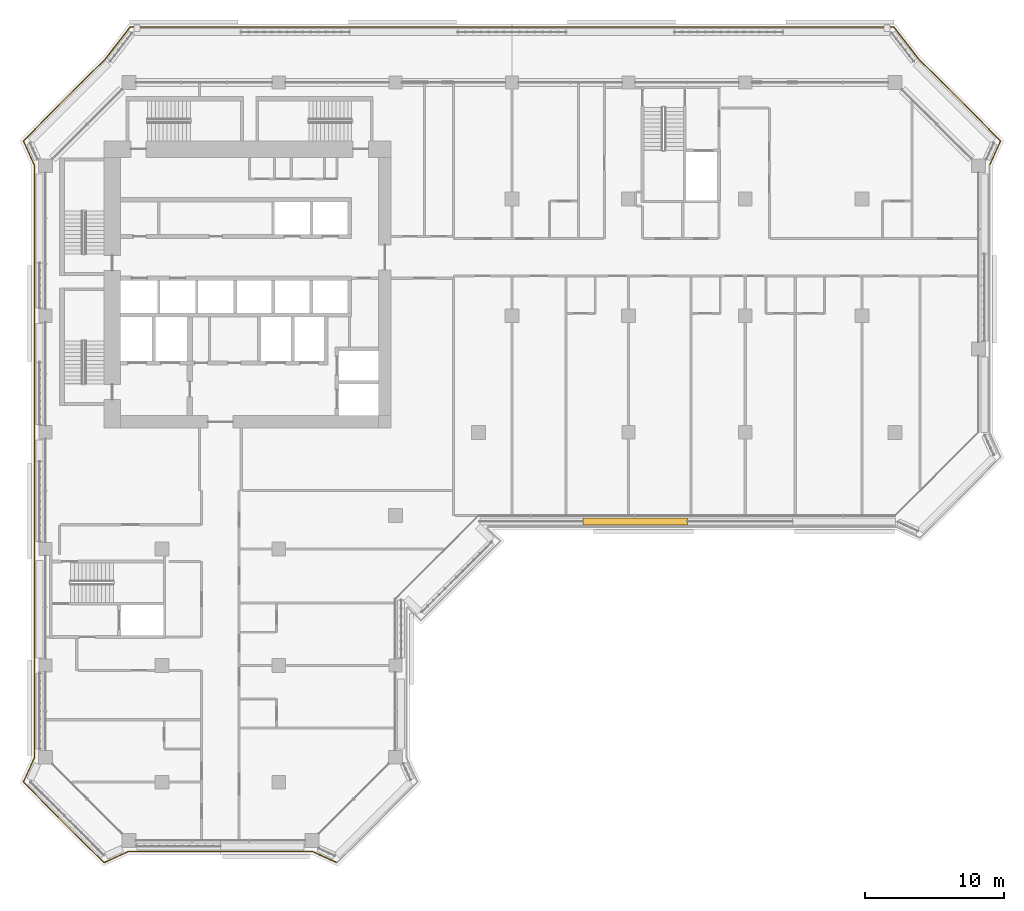
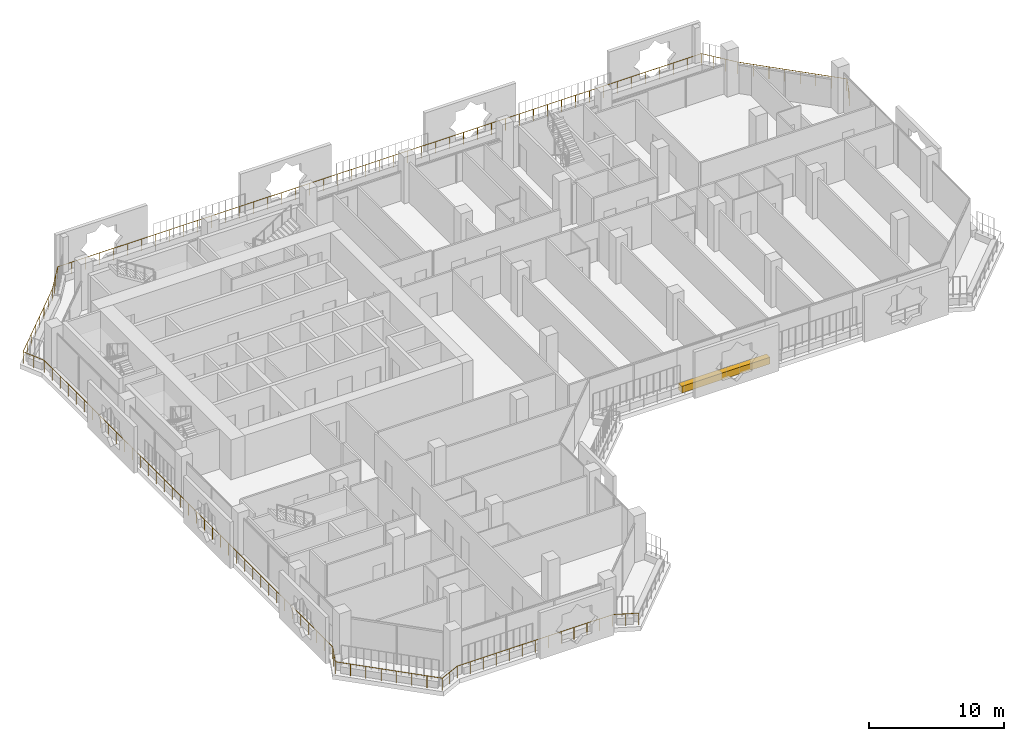
# One storey, part 17 of 21: 1 covering, 1 railing.
"""IFC4 building model written with IfcOpenShell, lengths in metres."""

from ifc_helpers import new_model, si_unit, direction, frame, origin, origin_2d, place, context, subcontext, project, spatial, rectangle, circle, extrude, material, material_profile, profile_set, type_object, element, save


model = new_model("IFC4")

# Units and contexts
model_context = context("Model", 3, precision=1e-05, world=origin(), true_north=direction((0.0, 1.0)))
body_context = subcontext(model_context, "Body", "Model", "MODEL_VIEW")
ifc_project = project(units=[si_unit("LENGTHUNIT", "METRE"), si_unit("AREAUNIT", "SQUARE_METRE"), si_unit("VOLUMEUNIT", "CUBIC_METRE"), si_unit("PLANEANGLEUNIT", "RADIAN"), si_unit("MASSUNIT", "GRAM", prefix="KILO")], contexts=[model_context])

# Site, building, storey
site_placement = place(None, origin())
site = spatial("IfcSite", under=ifc_project, at=site_placement, CompositionType="ELEMENT")
building_placement = place(site_placement, origin())
building = spatial("IfcBuilding", under=site, at=building_placement, Name="Kawkab Arch Medical Tower", CompositionType="ELEMENT")
storey_placement = place(building_placement, frame((0.0, 0.0, 192.0)))
storey = spatial("IfcBuildingStorey", under=building, at=storey_placement, Name="L44", CompositionType="ELEMENT", Elevation=192.0)

# Railing
ifc_material_1 = material(Name="Bronze anodised aluminium guard", Category="aluminium")
railing_type = type_object("IfcRailingType", Name="Loggia and terrace guard 1100", PredefinedType="GUARDRAIL", material=ifc_material_1)
railing_placement = place(storey_placement, frame((20.9951171875, -56.197998046875, 0.0)))
element("IfcRailing", 1, at=railing_placement, inside=storey, type_object=railing_type, Name="Guard L44.LOG-01.1.1", PredefinedType="GUARDRAIL", context=body_context, shape_type="SweptSolid", body=[
    extrude(circle(Radius=0.02392578125, at=origin_2d()), frame((0.0, 0.0, 1.076171875), z_axis=(-0.910044860056, 0.414509773934, 0.0), x_axis=(-0.414509773934, -0.910044860056, 0.0)), (0.0, 0.0, 1.0), 1.92529296875),
    extrude(circle(Radius=0.02392578125, at=origin_2d()), frame((-1.752197265625, 0.798095703125, 1.076171875), z_axis=(-1.0, 0.0, 0.0), x_axis=(0.0, -1.0, 0.0)), (0.0, 0.0, 1.0), 13.285888671875),
    extrude(circle(Radius=0.02392578125, at=origin_2d()), frame((-15.0380859375, 0.798095703125, 1.076171875), z_axis=(-0.910023069687, -0.414557610759, 0.0), x_axis=(0.414557610759, -0.910023069687, 0.0)), (0.0, 0.0, 1.0), 1.92529296875),
    extrude(circle(Radius=0.02392578125, at=origin_2d()), frame((-16.7900390625, 0.0, 1.076171875), z_axis=(-0.707106781187, 0.707106781187, 0.0), x_axis=(-0.707106781187, -0.707106781187, 0.0)), (0.0, 0.0, 1.0), 8.20654296875),
    extrude(circle(Radius=0.02392578125, at=origin_2d()), frame((-22.593017578125, 5.802978515625, 1.076171875), z_axis=(0.414452581809, 0.910070907914, 0.0), x_axis=(-0.910070907914, 0.414452581809, 0.0)), (0.0, 0.0, 1.0), 1.925048828125),
    extrude(circle(Radius=0.02392578125, at=origin_2d()), frame((-21.795166015625, 7.554931640625, 1.076171875), z_axis=(0.0, 1.0, 0.0), x_axis=(-1.0, 0.0, 0.0)), (0.0, 0.0, 1.0), 42.68603515625),
    extrude(circle(Radius=0.02392578125, at=origin_2d()), frame((-21.795166015625, 50.240966796875, 1.076171875), z_axis=(-0.414452581809, 0.910070907914, 0.0), x_axis=(-0.910070907914, -0.414452581809, 0.0)), (0.0, 0.0, 1.0), 1.925048828125),
    extrude(circle(Radius=0.02392578125, at=origin_2d()), frame((-22.593017578125, 51.992919921875, 1.076171875), z_axis=(0.707092175918, 0.707121386154, 0.0), x_axis=(-0.707121386154, 0.707092175918, 0.0)), (0.0, 0.0, 1.0), 8.358154296875),
    extrude(circle(Radius=0.02392578125, at=origin_2d()), frame((-16.68310546875, 57.903076171875, 1.076171875), z_axis=(0.614144026922, 0.789193964876, 0.0), x_axis=(-0.789193964876, 0.614144026922, 0.0)), (0.0, 0.0, 1.0), 2.907958984375),
    extrude(circle(Radius=0.02392578125, at=origin_2d()), frame((-14.897216796875, 60.197998046875, 1.076171875), z_axis=(1.0, 0.0, 0.0), x_axis=(0.0, 1.0, 0.0)), (0.0, 0.0, 1.0), 55.004150390625),
    extrude(circle(Radius=0.02392578125, at=origin_2d()), frame((40.10693359375, 60.197998046875, 1.076171875), z_axis=(0.614144026922, -0.789193964876, 0.0), x_axis=(0.789193964876, 0.614144026922, 0.0)), (0.0, 0.0, 1.0), 2.907958984375),
    extrude(circle(Radius=0.02392578125, at=origin_2d()), frame((41.892822265625, 57.903076171875, 1.076171875), z_axis=(0.707106781187, -0.707106781187, 0.0), x_axis=(0.707106781187, 0.707106781187, 0.0)), (0.0, 0.0, 1.0), 8.358154296875),
    extrude(circle(Radius=0.02392578125, at=origin_2d()), frame((47.802978515625, 51.992919921875, 1.076171875), z_axis=(-0.414557610759, -0.910023069687, 0.0), x_axis=(0.910023069687, -0.414557610759, 0.0)), (0.0, 0.0, 1.0), 1.92529296875),
    extrude(circle(Radius=0.02099609375, at=origin_2d()), origin(), (0.0, 0.0, 1.0), 1.052001953125),
    extrude(circle(Radius=0.02099609375, at=origin_2d()), frame((-0.8759765625, 0.39892578125, 0.0)), (0.0, 0.0, 1.0), 1.052001953125),
    extrude(circle(Radius=0.02099609375, at=origin_2d()), frame((-1.752197265625, 0.798095703125, 0.0)), (0.0, 0.0, 1.0), 1.052001953125),
    extrude(circle(Radius=0.02099609375, at=origin_2d()), frame((-2.859375, 0.798095703125, 0.0)), (0.0, 0.0, 1.0), 1.052001953125),
    extrude(circle(Radius=0.02099609375, at=origin_2d()), frame((-3.966552734375, 0.798095703125, 0.0)), (0.0, 0.0, 1.0), 1.052001953125),
    extrude(circle(Radius=0.02099609375, at=origin_2d()), frame((-5.07373046875, 0.798095703125, 0.0)), (0.0, 0.0, 1.0), 1.052001953125),
    extrude(circle(Radius=0.02099609375, at=origin_2d()), frame((-6.180908203125, 0.798095703125, 0.0)), (0.0, 0.0, 1.0), 1.052001953125),
    extrude(circle(Radius=0.02099609375, at=origin_2d()), frame((-7.2880859375, 0.798095703125, 0.0)), (0.0, 0.0, 1.0), 1.052001953125),
    extrude(circle(Radius=0.02099609375, at=origin_2d()), frame((-8.39501953125, 0.798095703125, 0.0)), (0.0, 0.0, 1.0), 1.052001953125),
    extrude(circle(Radius=0.02099609375, at=origin_2d()), frame((-9.502197265625, 0.798095703125, 0.0)), (0.0, 0.0, 1.0), 1.052001953125),
    extrude(circle(Radius=0.02099609375, at=origin_2d()), frame((-10.609375, 0.798095703125, 0.0)), (0.0, 0.0, 1.0), 1.052001953125),
    extrude(circle(Radius=0.02099609375, at=origin_2d()), frame((-11.716552734375, 0.798095703125, 0.0)), (0.0, 0.0, 1.0), 1.052001953125),
    extrude(circle(Radius=0.02099609375, at=origin_2d()), frame((-12.82373046875, 0.798095703125, 0.0)), (0.0, 0.0, 1.0), 1.052001953125),
    extrude(circle(Radius=0.02099609375, at=origin_2d()), frame((-13.930908203125, 0.798095703125, 0.0)), (0.0, 0.0, 1.0), 1.052001953125),
    extrude(circle(Radius=0.02099609375, at=origin_2d()), frame((-15.0380859375, 0.798095703125, 0.0)), (0.0, 0.0, 1.0), 1.052001953125),
    extrude(circle(Radius=0.02099609375, at=origin_2d()), frame((-15.9140625, 0.39892578125, 0.0)), (0.0, 0.0, 1.0), 1.052001953125),
    extrude(circle(Radius=0.02099609375, at=origin_2d()), frame((-16.7900390625, 0.0, 0.0)), (0.0, 0.0, 1.0), 1.052001953125),
    extrude(circle(Radius=0.02099609375, at=origin_2d()), frame((-17.619140625, 0.8291015625, 0.0)), (0.0, 0.0, 1.0), 1.052001953125),
    extrude(circle(Radius=0.02099609375, at=origin_2d()), frame((-18.447998046875, 1.657958984375, 0.0)), (0.0, 0.0, 1.0), 1.052001953125),
    extrude(circle(Radius=0.02099609375, at=origin_2d()), frame((-19.277099609375, 2.487060546875, 0.0)), (0.0, 0.0, 1.0), 1.052001953125),
    extrude(circle(Radius=0.02099609375, at=origin_2d()), frame((-20.10595703125, 3.31591796875, 0.0)), (0.0, 0.0, 1.0), 1.052001953125),
    extrude(circle(Radius=0.02099609375, at=origin_2d()), frame((-20.93505859375, 4.14501953125, 0.0)), (0.0, 0.0, 1.0), 1.052001953125),
    extrude(circle(Radius=0.02099609375, at=origin_2d()), frame((-21.763916015625, 4.973876953125, 0.0)), (0.0, 0.0, 1.0), 1.052001953125),
    extrude(circle(Radius=0.02099609375, at=origin_2d()), frame((-22.593017578125, 5.802978515625, 0.0)), (0.0, 0.0, 1.0), 1.052001953125),
    extrude(circle(Radius=0.02099609375, at=origin_2d()), frame((-22.194091796875, 6.678955078125, 0.0)), (0.0, 0.0, 1.0), 1.052001953125),
    extrude(circle(Radius=0.02099609375, at=origin_2d()), frame((-21.795166015625, 7.554931640625, 0.0)), (0.0, 0.0, 1.0), 1.052001953125),
    extrude(circle(Radius=0.02099609375, at=origin_2d()), frame((-21.795166015625, 8.74072265625, 0.0)), (0.0, 0.0, 1.0), 1.052001953125),
    extrude(circle(Radius=0.02099609375, at=origin_2d()), frame((-21.795166015625, 9.92626953125, 0.0)), (0.0, 0.0, 1.0), 1.052001953125),
    extrude(circle(Radius=0.02099609375, at=origin_2d()), frame((-21.795166015625, 11.112060546875, 0.0)), (0.0, 0.0, 1.0), 1.052001953125),
    extrude(circle(Radius=0.02099609375, at=origin_2d()), frame((-21.795166015625, 12.2978515625, 0.0)), (0.0, 0.0, 1.0), 1.052001953125),
    extrude(circle(Radius=0.02099609375, at=origin_2d()), frame((-21.795166015625, 13.483642578125, 0.0)), (0.0, 0.0, 1.0), 1.052001953125),
    extrude(circle(Radius=0.02099609375, at=origin_2d()), frame((-21.795166015625, 14.669189453125, 0.0)), (0.0, 0.0, 1.0), 1.052001953125),
    extrude(circle(Radius=0.02099609375, at=origin_2d()), frame((-21.795166015625, 15.85498046875, 0.0)), (0.0, 0.0, 1.0), 1.052001953125),
    extrude(circle(Radius=0.02099609375, at=origin_2d()), frame((-21.795166015625, 17.040771484375, 0.0)), (0.0, 0.0, 1.0), 1.052001953125),
    extrude(circle(Radius=0.02099609375, at=origin_2d()), frame((-21.795166015625, 18.2265625, 0.0)), (0.0, 0.0, 1.0), 1.052001953125),
    extrude(circle(Radius=0.02099609375, at=origin_2d()), frame((-21.795166015625, 19.412109375, 0.0)), (0.0, 0.0, 1.0), 1.052001953125),
    extrude(circle(Radius=0.02099609375, at=origin_2d()), frame((-21.795166015625, 20.597900390625, 0.0)), (0.0, 0.0, 1.0), 1.052001953125),
    extrude(circle(Radius=0.02099609375, at=origin_2d()), frame((-21.795166015625, 21.78369140625, 0.0)), (0.0, 0.0, 1.0), 1.052001953125),
    extrude(circle(Radius=0.02099609375, at=origin_2d()), frame((-21.795166015625, 22.96923828125, 0.0)), (0.0, 0.0, 1.0), 1.052001953125),
    extrude(circle(Radius=0.02099609375, at=origin_2d()), frame((-21.795166015625, 24.155029296875, 0.0)), (0.0, 0.0, 1.0), 1.052001953125),
    extrude(circle(Radius=0.02099609375, at=origin_2d()), frame((-21.795166015625, 25.3408203125, 0.0)), (0.0, 0.0, 1.0), 1.052001953125),
    extrude(circle(Radius=0.02099609375, at=origin_2d()), frame((-21.795166015625, 26.526611328125, 0.0)), (0.0, 0.0, 1.0), 1.052001953125),
    extrude(circle(Radius=0.02099609375, at=origin_2d()), frame((-21.795166015625, 27.712158203125, 0.0)), (0.0, 0.0, 1.0), 1.052001953125),
    extrude(circle(Radius=0.02099609375, at=origin_2d()), frame((-21.795166015625, 28.89794921875, 0.0)), (0.0, 0.0, 1.0), 1.052001953125),
    extrude(circle(Radius=0.02099609375, at=origin_2d()), frame((-21.795166015625, 30.083740234375, 0.0)), (0.0, 0.0, 1.0), 1.052001953125),
    extrude(circle(Radius=0.02099609375, at=origin_2d()), frame((-21.795166015625, 31.269287109375, 0.0)), (0.0, 0.0, 1.0), 1.052001953125),
    extrude(circle(Radius=0.02099609375, at=origin_2d()), frame((-21.795166015625, 32.455078125, 0.0)), (0.0, 0.0, 1.0), 1.052001953125),
    extrude(circle(Radius=0.02099609375, at=origin_2d()), frame((-21.795166015625, 33.640869140625, 0.0)), (0.0, 0.0, 1.0), 1.052001953125),
    extrude(circle(Radius=0.02099609375, at=origin_2d()), frame((-21.795166015625, 34.82666015625, 0.0)), (0.0, 0.0, 1.0), 1.052001953125),
    extrude(circle(Radius=0.02099609375, at=origin_2d()), frame((-21.795166015625, 36.01220703125, 0.0)), (0.0, 0.0, 1.0), 1.052001953125),
    extrude(circle(Radius=0.02099609375, at=origin_2d()), frame((-21.795166015625, 37.197998046875, 0.0)), (0.0, 0.0, 1.0), 1.052001953125),
    extrude(circle(Radius=0.02099609375, at=origin_2d()), frame((-21.795166015625, 38.3837890625, 0.0)), (0.0, 0.0, 1.0), 1.052001953125),
    extrude(circle(Radius=0.02099609375, at=origin_2d()), frame((-21.795166015625, 39.5693359375, 0.0)), (0.0, 0.0, 1.0), 1.052001953125),
    extrude(circle(Radius=0.02099609375, at=origin_2d()), frame((-21.795166015625, 40.755126953125, 0.0)), (0.0, 0.0, 1.0), 1.052001953125),
    extrude(circle(Radius=0.02099609375, at=origin_2d()), frame((-21.795166015625, 41.94091796875, 0.0)), (0.0, 0.0, 1.0), 1.052001953125),
    extrude(circle(Radius=0.02099609375, at=origin_2d()), frame((-21.795166015625, 43.126708984375, 0.0)), (0.0, 0.0, 1.0), 1.052001953125),
    extrude(circle(Radius=0.02099609375, at=origin_2d()), frame((-21.795166015625, 44.312255859375, 0.0)), (0.0, 0.0, 1.0), 1.052001953125),
    extrude(circle(Radius=0.02099609375, at=origin_2d()), frame((-21.795166015625, 45.498046875, 0.0)), (0.0, 0.0, 1.0), 1.052001953125),
    extrude(circle(Radius=0.02099609375, at=origin_2d()), frame((-21.795166015625, 46.683837890625, 0.0)), (0.0, 0.0, 1.0), 1.052001953125),
    extrude(circle(Radius=0.02099609375, at=origin_2d()), frame((-21.795166015625, 47.86962890625, 0.0)), (0.0, 0.0, 1.0), 1.052001953125),
    extrude(circle(Radius=0.02099609375, at=origin_2d()), frame((-21.795166015625, 49.05517578125, 0.0)), (0.0, 0.0, 1.0), 1.052001953125),
    extrude(circle(Radius=0.02099609375, at=origin_2d()), frame((-21.795166015625, 50.240966796875, 0.0)), (0.0, 0.0, 1.0), 1.052001953125),
    extrude(circle(Radius=0.02099609375, at=origin_2d()), frame((-22.194091796875, 51.116943359375, 0.0)), (0.0, 0.0, 1.0), 1.052001953125),
    extrude(circle(Radius=0.02099609375, at=origin_2d()), frame((-22.593017578125, 51.992919921875, 0.0)), (0.0, 0.0, 1.0), 1.052001953125),
    extrude(circle(Radius=0.02099609375, at=origin_2d()), frame((-21.748779296875, 52.837158203125, 0.0)), (0.0, 0.0, 1.0), 1.052001953125),
    extrude(circle(Radius=0.02099609375, at=origin_2d()), frame((-20.904541015625, 53.681640625, 0.0)), (0.0, 0.0, 1.0), 1.052001953125),
    extrude(circle(Radius=0.02099609375, at=origin_2d()), frame((-20.060302734375, 54.52587890625, 0.0)), (0.0, 0.0, 1.0), 1.052001953125),
    extrude(circle(Radius=0.02099609375, at=origin_2d()), frame((-19.2158203125, 55.3701171875, 0.0)), (0.0, 0.0, 1.0), 1.052001953125),
    extrude(circle(Radius=0.02099609375, at=origin_2d()), frame((-18.37158203125, 56.21435546875, 0.0)), (0.0, 0.0, 1.0), 1.052001953125),
    extrude(circle(Radius=0.02099609375, at=origin_2d()), frame((-17.52734375, 57.058837890625, 0.0)), (0.0, 0.0, 1.0), 1.052001953125),
    extrude(circle(Radius=0.02099609375, at=origin_2d()), frame((-16.68310546875, 57.903076171875, 0.0)), (0.0, 0.0, 1.0), 1.052001953125),
    extrude(circle(Radius=0.02099609375, at=origin_2d()), frame((-16.087890625, 58.66796875, 0.0)), (0.0, 0.0, 1.0), 1.052001953125),
    extrude(circle(Radius=0.02099609375, at=origin_2d()), frame((-15.492431640625, 59.43310546875, 0.0)), (0.0, 0.0, 1.0), 1.052001953125),
    extrude(circle(Radius=0.02099609375, at=origin_2d()), frame((-14.897216796875, 60.197998046875, 0.0)), (0.0, 0.0, 1.0), 1.052001953125),
    extrude(circle(Radius=0.02099609375, at=origin_2d()), frame((-13.701416015625, 60.197998046875, 0.0)), (0.0, 0.0, 1.0), 1.052001953125),
    extrude(circle(Radius=0.02099609375, at=origin_2d()), frame((-12.505615234375, 60.197998046875, 0.0)), (0.0, 0.0, 1.0), 1.052001953125),
    extrude(circle(Radius=0.02099609375, at=origin_2d()), frame((-11.31005859375, 60.197998046875, 0.0)), (0.0, 0.0, 1.0), 1.052001953125),
    extrude(circle(Radius=0.02099609375, at=origin_2d()), frame((-10.1142578125, 60.197998046875, 0.0)), (0.0, 0.0, 1.0), 1.052001953125),
    extrude(circle(Radius=0.02099609375, at=origin_2d()), frame((-8.91845703125, 60.197998046875, 0.0)), (0.0, 0.0, 1.0), 1.052001953125),
    extrude(circle(Radius=0.02099609375, at=origin_2d()), frame((-7.72265625, 60.197998046875, 0.0)), (0.0, 0.0, 1.0), 1.052001953125),
    extrude(circle(Radius=0.02099609375, at=origin_2d()), frame((-6.527099609375, 60.197998046875, 0.0)), (0.0, 0.0, 1.0), 1.052001953125),
    extrude(circle(Radius=0.02099609375, at=origin_2d()), frame((-5.331298828125, 60.197998046875, 0.0)), (0.0, 0.0, 1.0), 1.052001953125),
    extrude(circle(Radius=0.02099609375, at=origin_2d()), frame((-4.135498046875, 60.197998046875, 0.0)), (0.0, 0.0, 1.0), 1.052001953125),
    extrude(circle(Radius=0.02099609375, at=origin_2d()), frame((-2.939697265625, 60.197998046875, 0.0)), (0.0, 0.0, 1.0), 1.052001953125),
    extrude(circle(Radius=0.02099609375, at=origin_2d()), frame((-1.744140625, 60.197998046875, 0.0)), (0.0, 0.0, 1.0), 1.052001953125),
    extrude(circle(Radius=0.02099609375, at=origin_2d()), frame((-0.54833984375, 60.197998046875, 0.0)), (0.0, 0.0, 1.0), 1.052001953125),
    extrude(circle(Radius=0.02099609375, at=origin_2d()), frame((0.6474609375, 60.197998046875, 0.0)), (0.0, 0.0, 1.0), 1.052001953125),
    extrude(circle(Radius=0.02099609375, at=origin_2d()), frame((1.84326171875, 60.197998046875, 0.0)), (0.0, 0.0, 1.0), 1.052001953125),
    extrude(circle(Radius=0.02099609375, at=origin_2d()), frame((3.038818359375, 60.197998046875, 0.0)), (0.0, 0.0, 1.0), 1.052001953125),
    extrude(circle(Radius=0.02099609375, at=origin_2d()), frame((4.234619140625, 60.197998046875, 0.0)), (0.0, 0.0, 1.0), 1.052001953125),
    extrude(circle(Radius=0.02099609375, at=origin_2d()), frame((5.430419921875, 60.197998046875, 0.0)), (0.0, 0.0, 1.0), 1.052001953125),
    extrude(circle(Radius=0.02099609375, at=origin_2d()), frame((6.626220703125, 60.197998046875, 0.0)), (0.0, 0.0, 1.0), 1.052001953125),
    extrude(circle(Radius=0.02099609375, at=origin_2d()), frame((7.82177734375, 60.197998046875, 0.0)), (0.0, 0.0, 1.0), 1.052001953125),
    extrude(circle(Radius=0.02099609375, at=origin_2d()), frame((9.017578125, 60.197998046875, 0.0)), (0.0, 0.0, 1.0), 1.052001953125),
    extrude(circle(Radius=0.02099609375, at=origin_2d()), frame((10.21337890625, 60.197998046875, 0.0)), (0.0, 0.0, 1.0), 1.052001953125),
    extrude(circle(Radius=0.02099609375, at=origin_2d()), frame((11.4091796875, 60.197998046875, 0.0)), (0.0, 0.0, 1.0), 1.052001953125),
    extrude(circle(Radius=0.02099609375, at=origin_2d()), frame((12.60498046875, 60.197998046875, 0.0)), (0.0, 0.0, 1.0), 1.052001953125),
    extrude(circle(Radius=0.02099609375, at=origin_2d()), frame((13.800537109375, 60.197998046875, 0.0)), (0.0, 0.0, 1.0), 1.052001953125),
    extrude(circle(Radius=0.02099609375, at=origin_2d()), frame((14.996337890625, 60.197998046875, 0.0)), (0.0, 0.0, 1.0), 1.052001953125),
    extrude(circle(Radius=0.02099609375, at=origin_2d()), frame((16.192138671875, 60.197998046875, 0.0)), (0.0, 0.0, 1.0), 1.052001953125),
    extrude(circle(Radius=0.02099609375, at=origin_2d()), frame((17.387939453125, 60.197998046875, 0.0)), (0.0, 0.0, 1.0), 1.052001953125),
    extrude(circle(Radius=0.02099609375, at=origin_2d()), frame((18.58349609375, 60.197998046875, 0.0)), (0.0, 0.0, 1.0), 1.052001953125),
    extrude(circle(Radius=0.02099609375, at=origin_2d()), frame((19.779296875, 60.197998046875, 0.0)), (0.0, 0.0, 1.0), 1.052001953125),
    extrude(circle(Radius=0.02099609375, at=origin_2d()), frame((20.97509765625, 60.197998046875, 0.0)), (0.0, 0.0, 1.0), 1.052001953125),
    extrude(circle(Radius=0.02099609375, at=origin_2d()), frame((22.1708984375, 60.197998046875, 0.0)), (0.0, 0.0, 1.0), 1.052001953125),
    extrude(circle(Radius=0.02099609375, at=origin_2d()), frame((23.366455078125, 60.197998046875, 0.0)), (0.0, 0.0, 1.0), 1.052001953125),
    extrude(circle(Radius=0.02099609375, at=origin_2d()), frame((24.562255859375, 60.197998046875, 0.0)), (0.0, 0.0, 1.0), 1.052001953125),
    extrude(circle(Radius=0.02099609375, at=origin_2d()), frame((25.758056640625, 60.197998046875, 0.0)), (0.0, 0.0, 1.0), 1.052001953125),
    extrude(circle(Radius=0.02099609375, at=origin_2d()), frame((26.953857421875, 60.197998046875, 0.0)), (0.0, 0.0, 1.0), 1.052001953125),
    extrude(circle(Radius=0.02099609375, at=origin_2d()), frame((28.1494140625, 60.197998046875, 0.0)), (0.0, 0.0, 1.0), 1.052001953125),
    extrude(circle(Radius=0.02099609375, at=origin_2d()), frame((29.34521484375, 60.197998046875, 0.0)), (0.0, 0.0, 1.0), 1.052001953125),
    extrude(circle(Radius=0.02099609375, at=origin_2d()), frame((30.541015625, 60.197998046875, 0.0)), (0.0, 0.0, 1.0), 1.052001953125),
    extrude(circle(Radius=0.02099609375, at=origin_2d()), frame((31.73681640625, 60.197998046875, 0.0)), (0.0, 0.0, 1.0), 1.052001953125),
    extrude(circle(Radius=0.02099609375, at=origin_2d()), frame((32.932373046875, 60.197998046875, 0.0)), (0.0, 0.0, 1.0), 1.052001953125),
    extrude(circle(Radius=0.02099609375, at=origin_2d()), frame((34.128173828125, 60.197998046875, 0.0)), (0.0, 0.0, 1.0), 1.052001953125),
    extrude(circle(Radius=0.02099609375, at=origin_2d()), frame((35.323974609375, 60.197998046875, 0.0)), (0.0, 0.0, 1.0), 1.052001953125),
    extrude(circle(Radius=0.02099609375, at=origin_2d()), frame((36.519775390625, 60.197998046875, 0.0)), (0.0, 0.0, 1.0), 1.052001953125),
    extrude(circle(Radius=0.02099609375, at=origin_2d()), frame((37.71533203125, 60.197998046875, 0.0)), (0.0, 0.0, 1.0), 1.052001953125),
    extrude(circle(Radius=0.02099609375, at=origin_2d()), frame((38.9111328125, 60.197998046875, 0.0)), (0.0, 0.0, 1.0), 1.052001953125),
    extrude(circle(Radius=0.02099609375, at=origin_2d()), frame((40.10693359375, 60.197998046875, 0.0)), (0.0, 0.0, 1.0), 1.052001953125),
    extrude(circle(Radius=0.02099609375, at=origin_2d()), frame((40.7021484375, 59.43310546875, 0.0)), (0.0, 0.0, 1.0), 1.052001953125),
    extrude(circle(Radius=0.02099609375, at=origin_2d()), frame((41.297607421875, 58.66796875, 0.0)), (0.0, 0.0, 1.0), 1.052001953125),
    extrude(circle(Radius=0.02099609375, at=origin_2d()), frame((41.892822265625, 57.903076171875, 0.0)), (0.0, 0.0, 1.0), 1.052001953125),
    extrude(circle(Radius=0.02099609375, at=origin_2d()), frame((42.737060546875, 57.058837890625, 0.0)), (0.0, 0.0, 1.0), 1.052001953125),
    extrude(circle(Radius=0.02099609375, at=origin_2d()), frame((43.58154296875, 56.21435546875, 0.0)), (0.0, 0.0, 1.0), 1.052001953125),
    extrude(circle(Radius=0.02099609375, at=origin_2d()), frame((44.42578125, 55.3701171875, 0.0)), (0.0, 0.0, 1.0), 1.052001953125),
    extrude(circle(Radius=0.02099609375, at=origin_2d()), frame((45.27001953125, 54.52587890625, 0.0)), (0.0, 0.0, 1.0), 1.052001953125),
    extrude(circle(Radius=0.02099609375, at=origin_2d()), frame((46.1142578125, 53.681640625, 0.0)), (0.0, 0.0, 1.0), 1.052001953125),
    extrude(circle(Radius=0.02099609375, at=origin_2d()), frame((46.958740234375, 52.837158203125, 0.0)), (0.0, 0.0, 1.0), 1.052001953125),
    extrude(circle(Radius=0.02099609375, at=origin_2d()), frame((47.802978515625, 51.992919921875, 0.0)), (0.0, 0.0, 1.0), 1.052001953125),
    extrude(circle(Radius=0.02099609375, at=origin_2d()), frame((47.40380859375, 51.116943359375, 0.0)), (0.0, 0.0, 1.0), 1.052001953125),
    extrude(circle(Radius=0.02099609375, at=origin_2d()), frame((47.0048828125, 50.240966796875, 0.0)), (0.0, 0.0, 1.0), 1.052001953125),
])

# Covering
ifc_material_2 = material(Name="Planting soil in a precast trough", Category="concrete")
ifc_material_profile = material_profile(ifc_material_2, rectangle(XDim=0.5, YDim=0.60009765625, at=origin_2d()), Name="Trough 500x600")
ifc_profile_set = profile_set([ifc_material_profile], Name="Planting soil in a precast trough")
covering_type = type_object("IfcCoveringType", Name="Planter trough 500 x 600", PredefinedType="USERDEFINED", material=ifc_profile_set)
covering_placement = place(storey_placement, frame((46.2548828125, -31.6201171875, 0.300048828125), z_axis=(-1.0, 0.0, 0.0), x_axis=(0.0, -1.0, 0.0)))
element("IfcCovering", 2, at=covering_placement, inside=storey, type_object=covering_type, Name="Planter L44.LOG-01-01.36", ObjectType="PLANTER", PredefinedType="USERDEFINED", context=body_context, shape_type="SweptSolid", body=[
    extrude(rectangle(XDim=0.5, YDim=0.60009765625, at=origin_2d()), origin(), (0.0, 0.0, 1.0), 7.534912109375),
])

save(model, "model.ifc")
